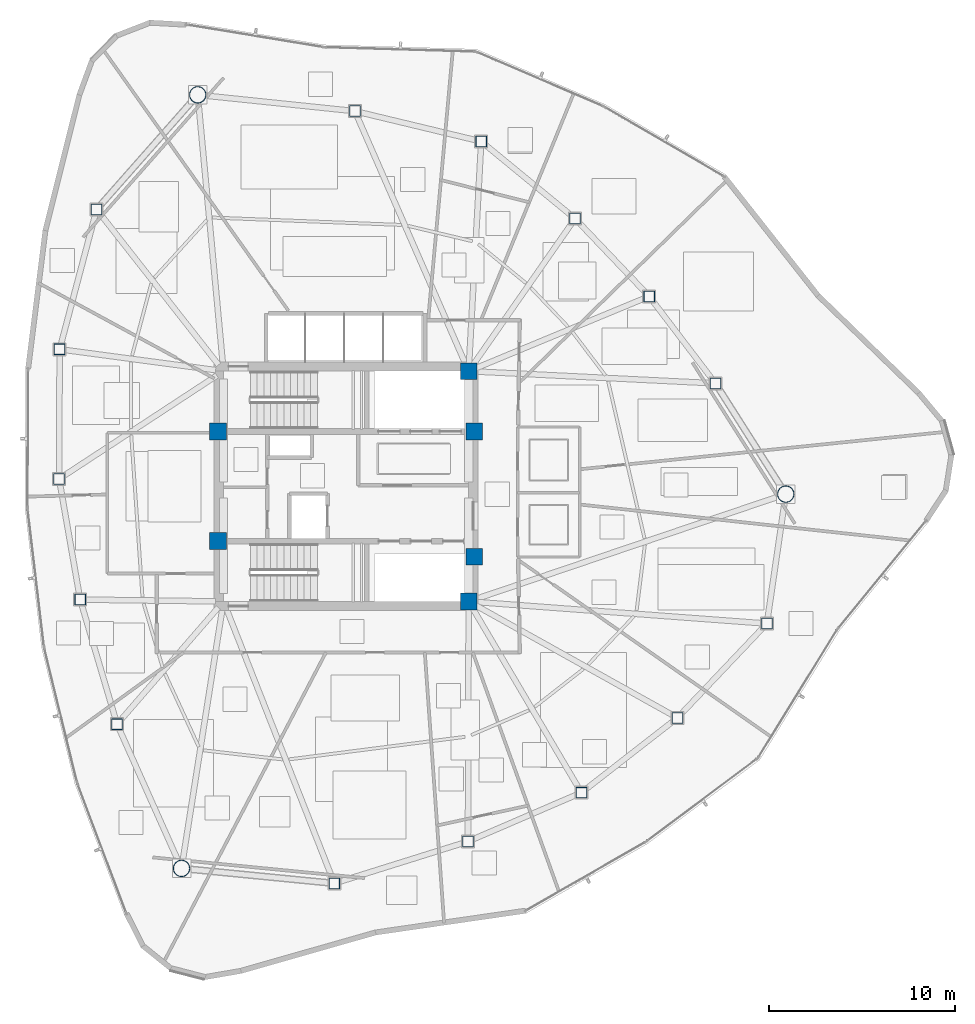
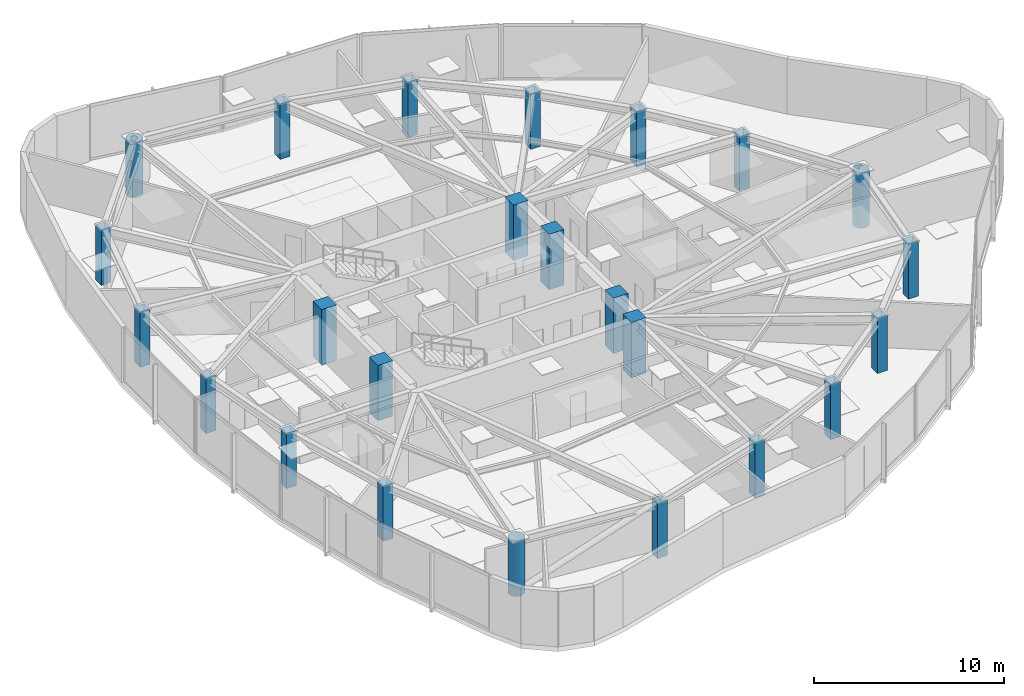
# One storey, part 1 of 18: 24 columns.
"""IFC4 building model written with IfcOpenShell, lengths in metres."""

from ifc_helpers import new_model, si_unit, direction, frame, origin, origin_2d, place, context, subcontext, project, spatial, rectangle, hollow_rectangle, hollow_circle, extrude, material, material_profile, profile_set, type_object, element, save


model = new_model("IFC4")

# Units and contexts
model_context = context("Model", 3, precision=1e-05, world=origin(), true_north=direction((0.0, 1.0)))
body_context = subcontext(model_context, "Body", "Model", "MODEL_VIEW")
ifc_project = project(units=[si_unit("LENGTHUNIT", "METRE"), si_unit("AREAUNIT", "SQUARE_METRE"), si_unit("VOLUMEUNIT", "CUBIC_METRE"), si_unit("PLANEANGLEUNIT", "RADIAN"), si_unit("MASSUNIT", "GRAM", prefix="KILO")], contexts=[model_context])

# Site, building, storey
site_placement = place(None, origin())
site = spatial("IfcSite", under=ifc_project, at=site_placement, CompositionType="ELEMENT")
building_placement = place(site_placement, origin())
building = spatial("IfcBuilding", under=site, at=building_placement, Name="Tavelor Broadcast Tower", CompositionType="ELEMENT")
storey_placement = place(building_placement, frame((0.0, 0.0, 173.35009765625)))
storey = spatial("IfcBuildingStorey", under=building, at=storey_placement, Name="L41", CompositionType="ELEMENT", Elevation=173.35009765625)

# Columns
ifc_material_1 = material(Name="Concrete C50/60", Category="concrete")
ifc_material_profile_1 = material_profile(ifc_material_1, rectangle(XDim=0.89990234375, YDim=0.89990234375, at=origin_2d()), Name="RC 900x900")
ifc_profile_set_1 = profile_set([ifc_material_profile_1], Name="Concrete C50/60")
column_type_1 = type_object("IfcColumnType", Name="Core Embedded Composite Column RC900", PredefinedType="COLUMN", material=ifc_profile_set_1)
for number, where, z_axis, x_axis, name in (
    (1, (43.10009765625, 47.949951171875, 0.0), (0.0, 0.0, 1.0), (1.0, 0.0, 0.0), "L41 Core Embedded Column 1"),
    (2, (56.89990234375, 47.949951171875, 0.0), (0.0, 0.0, 1.0), (1.0, 0.0, 0.0), "L41 Core Embedded Column 2"),
    (3, (56.60009765625, 51.199951171875, 0.0), (0.0, 0.0, 1.0), (1.0, 0.0, 0.0), "L41 Core Embedded Column 3"),
    (4, (43.10009765625, 42.050048828125, 0.0), (0.0, 0.0, 1.0), (1.0, 0.0, 0.0), "L41 Core Embedded Column 4"),
    (5, (56.89990234375, 41.199951171875, 0.0), (0.0, 0.0, 1.0), (1.0, 0.0, 0.0), "L41 Core Embedded Column 5"),
    (6, (56.60009765625, 38.800048828125, 0.0), (0.0, 0.0, 1.0), (1.0, 0.0, 0.0), "L41 Core Embedded Column 6"),
):
    element("IfcColumn", number, at=place(storey_placement, frame(where, z_axis=z_axis, x_axis=x_axis)), inside=storey, type_object=column_type_1, Name=name, PredefinedType="COLUMN", context=body_context, shape_type="SweptSolid", body=[
        extrude(rectangle(XDim=0.89990234375, YDim=0.89990234375, at=origin_2d()), origin(), (0.0, 0.0, 1.0), 3.5498046875),
    ])
ifc_material_2 = material(Name="Steel S460", Category="steel")
ifc_material_profile_2 = material_profile(ifc_material_2, hollow_rectangle(XDim=0.60009765625, YDim=0.60009765625, WallThickness=0.035888671875, at=origin_2d()), Name="SHS 600x600x36")
ifc_profile_set_2 = profile_set([ifc_material_profile_2], Name="Steel S460")
column_type_2 = type_object("IfcColumnType", Name="Perimeter Tube Column T4 SHS 600x600x36", PredefinedType="COLUMN", material=ifc_profile_set_2)
for number, where, z_axis, x_axis, name in (
    (7, (36.567626953125, 59.91064453125, 0.0), (0.0, 0.0, 1.0), (1.0, 0.0, 0.0), "L41 Perimeter Framed-Tube Column 02"),
    (8, (34.5751953125, 52.37939453125, 0.0), (0.0, 0.0, 1.0), (1.0, 0.0, 0.0), "L41 Perimeter Framed-Tube Column 03"),
    (9, (34.54638671875, 45.399169921875, 0.0), (0.0, 0.0, 1.0), (1.0, 0.0, 0.0), "L41 Perimeter Framed-Tube Column 04"),
    (10, (35.680908203125, 38.89990234375, 0.0), (0.0, 0.0, 1.0), (1.0, 0.0, 0.0), "L41 Perimeter Framed-Tube Column 05"),
    (11, (37.668212890625, 32.1904296875, 0.0), (0.0, 0.0, 1.0), (1.0, 0.0, 0.0), "L41 Perimeter Framed-Tube Column 06"),
    (12, (49.366455078125, 23.618896484375, 0.0), (0.0, 0.0, 1.0), (1.0, 0.0, 0.0), "L41 Perimeter Framed-Tube Column 08"),
    (13, (56.56103515625, 25.872802734375, 0.0), (0.0, 0.0, 1.0), (1.0, 0.0, 0.0), "L41 Perimeter Framed-Tube Column 09"),
    (14, (62.669189453125, 28.503173828125, 0.0), (0.0, 0.0, 1.0), (1.0, 0.0, 0.0), "L41 Perimeter Framed-Tube Column 10"),
    (15, (67.84228515625, 32.53173828125, 0.0), (0.0, 0.0, 1.0), (1.0, 0.0, 0.0), "L41 Perimeter Framed-Tube Column 11"),
    (16, (72.6591796875, 37.607421875, 0.0), (0.0, 0.0, 1.0), (1.0, 0.0, 0.0), "L41 Perimeter Framed-Tube Column 12"),
    (17, (69.885986328125, 50.544189453125, 0.0), (0.0, 0.0, 1.0), (1.0, 0.0, 0.0), "L41 Perimeter Framed-Tube Column 14"),
    (18, (66.322021484375, 55.228759765625, 0.0), (0.0, 0.0, 1.0), (1.0, 0.0, 0.0), "L41 Perimeter Framed-Tube Column 15"),
    (19, (62.330810546875, 59.416259765625, 0.0), (0.0, 0.0, 1.0), (1.0, 0.0, 0.0), "L41 Perimeter Framed-Tube Column 16"),
    (20, (57.276611328125, 63.568359375, 0.0), (0.0, 0.0, 1.0), (1.0, 0.0, 0.0), "L41 Perimeter Framed-Tube Column 17"),
    (21, (50.472412109375, 65.2021484375, 0.0), (0.0, 0.0, 1.0), (1.0, 0.0, 0.0), "L41 Perimeter Framed-Tube Column 18"),
):
    element("IfcColumn", number, at=place(storey_placement, frame(where, z_axis=z_axis, x_axis=x_axis)), inside=storey, type_object=column_type_2, Name=name, PredefinedType="COLUMN", context=body_context, shape_type="SweptSolid", body=[
        extrude(hollow_rectangle(XDim=0.60009765625, YDim=0.60009765625, WallThickness=0.035888671875, at=origin_2d()), origin(), (0.0, 0.0, 1.0), 3.5498046875),
    ])
ifc_material_profile_3 = material_profile(ifc_material_2, hollow_circle(Radius=0.45703125, WallThickness=0.0400390625, at=origin_2d()), Name="CHS 914x40")
ifc_profile_set_3 = profile_set([ifc_material_profile_3], Name="Steel S460")
column_type_3 = type_object("IfcColumnType", Name="Tower Mega Column T4 CHS 914x40", PredefinedType="COLUMN", material=ifc_profile_set_3)
for number, where, z_axis, x_axis, name in (
    (22, (42.01123046875, 66.080078125, 0.0), (0.0, 0.0, 1.0), (1.0, 0.0, 0.0), "L41 Tower Corner Mega Column 01"),
    (23, (41.138671875, 24.423828125, 0.0), (0.0, 0.0, 1.0), (1.0, 0.0, 0.0), "L41 Tower Corner Mega Column 07"),
    (24, (73.676025390625, 44.57958984375, 0.0), (0.0, 0.0, 1.0), (1.0, 0.0, 0.0), "L41 Tower Corner Mega Column 13"),
):
    element("IfcColumn", number, at=place(storey_placement, frame(where, z_axis=z_axis, x_axis=x_axis)), inside=storey, type_object=column_type_3, Name=name, PredefinedType="COLUMN", context=body_context, shape_type="SweptSolid", body=[
        extrude(hollow_circle(Radius=0.45703125, WallThickness=0.0400390625, at=origin_2d()), origin(), (0.0, 0.0, 1.0), 3.5498046875),
    ])

save(model, "model.ifc")
